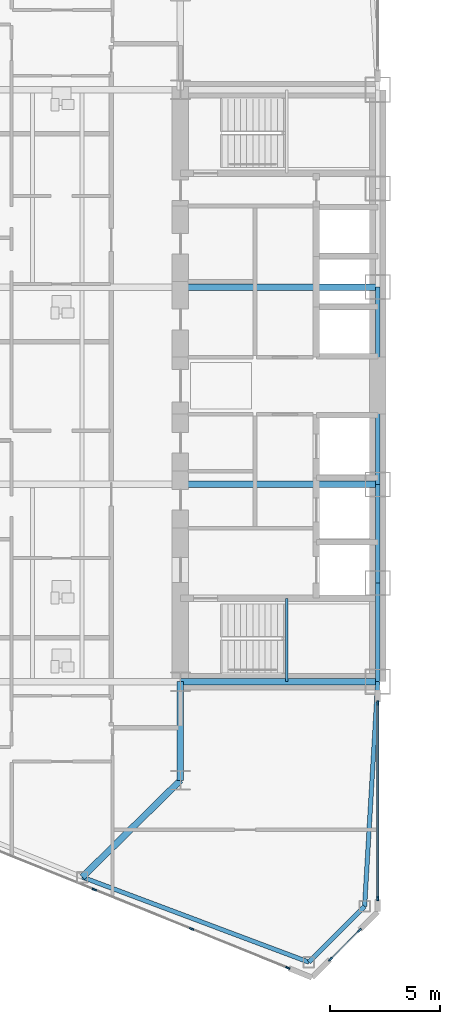
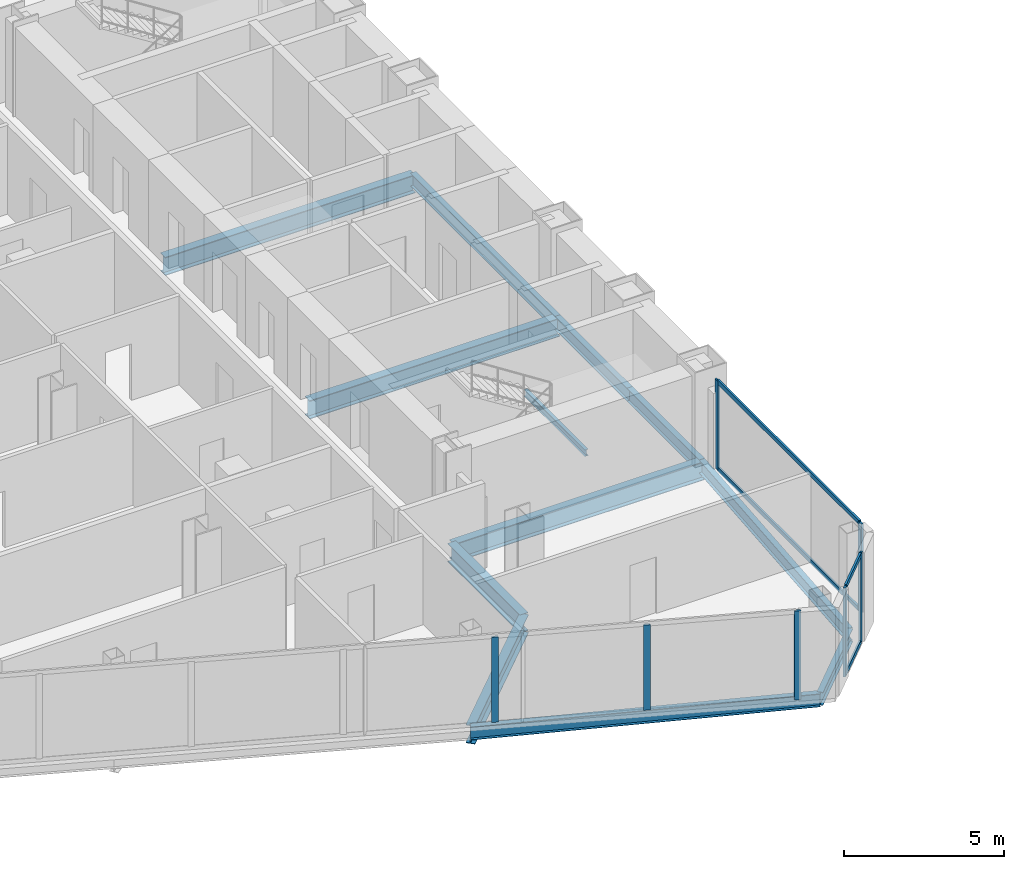
# One storey, part 5 of 25: 12 beams, 11 members, 3 elements without a shape of their own.
"""IFC4 building model written with IfcOpenShell, lengths in metres."""

from ifc_helpers import new_model, si_unit, direction, frame, origin, origin_2d, place, context, subcontext, project, spatial, rectangle, i_section, extrude, source, transform, mapped, material, layer, layer_set, material_profile, profile_set, type_object, type_shapes, element, aggregate, save


model = new_model("IFC4")

# Units and contexts
model_context = context("Model", 3, precision=1e-05, world=origin(), true_north=direction((0.0, 1.0)))
body_context = subcontext(model_context, "Body", "Model", "MODEL_VIEW")
ifc_project = project(units=[si_unit("LENGTHUNIT", "METRE"), si_unit("AREAUNIT", "SQUARE_METRE"), si_unit("VOLUMEUNIT", "CUBIC_METRE"), si_unit("PLANEANGLEUNIT", "RADIAN"), si_unit("MASSUNIT", "GRAM", prefix="KILO")], contexts=[model_context])

# Site, building, storey
site_placement = place(None, origin())
site = spatial("IfcSite", under=ifc_project, at=site_placement, CompositionType="ELEMENT")
building_placement = place(site_placement, origin())
building = spatial("IfcBuilding", under=site, at=building_placement, Name="Seokmaru Belvedere", CompositionType="ELEMENT")
storey_placement = place(building_placement, frame((0.0, 0.0, 29.699951171875)))
storey = spatial("IfcBuildingStorey", under=building, at=storey_placement, Name="L07", CompositionType="ELEMENT", Elevation=29.699951171875)

# Beams
ifc_material_1 = material(Name="Steel SM355 (355 MPa)", Category="steel")
ifc_material_profile_1 = material_profile(ifc_material_1, i_section(OverallWidth=0.199951171875, OverallDepth=0.5, WebThickness=0.010009765625, FlangeThickness=0.01611328125, at=origin_2d()), Name="H-500x200x10x16")
ifc_profile_set_1 = profile_set([ifc_material_profile_1], Name="Steel SM355 (355 MPa)")
beam_type_1 = type_object("IfcBeamType", Name="Perimeter Spandrel Beam H-500", PredefinedType="SPANDREL", material=ifc_profile_set_1)
shared_shape_1 = source(origin(), body_context, "Body", "SweptSolid", [
    extrude(i_section(OverallWidth=0.199951171875, OverallDepth=0.5, WebThickness=0.010009765625, FlangeThickness=0.01611328125, at=origin_2d()), origin(), (0.0, 0.0, 1.0), 4.5),
])
for number, where, z_axis, x_axis, name in (
    (1, (-27.5, -13.5, -0.469970703125), (0.0, 1.0, 0.0), (-1.0, 0.0, 0.0), "L07 W Portal Spine Spandrel 1"),
    (2, (-27.5, -9.0, -0.469970703125), (0.0, 1.0, 0.0), (-1.0, 0.0, 0.0), "L07 W Portal Spine Spandrel 2"),
):
    element("IfcBeam", number, at=place(storey_placement, frame(where, z_axis=z_axis, x_axis=x_axis)), inside=storey, type_object=beam_type_1, Name=name, PredefinedType="SPANDREL", context=body_context, shape_type="MappedRepresentation", body=[
        mapped(shared_shape_1, transform((0.0, 0.0, 0.0), scale=1.0)),
    ])
shared_shape_2 = source(origin(), body_context, "Body", "SweptSolid", [
    extrude(i_section(OverallWidth=0.199951171875, OverallDepth=0.5, WebThickness=0.010009765625, FlangeThickness=0.01611328125, at=origin_2d()), origin(), (0.0, 0.0, 1.0), 9.0),
])
beam_1_placement = place(storey_placement, frame((-27.5, -4.5, -0.469970703125), z_axis=(0.0, 1.0, 0.0), x_axis=(-1.0, 0.0, 0.0)))
element("IfcBeam", 3, at=beam_1_placement, inside=storey, type_object=beam_type_1, Name="L07 W Portal Spine Spandrel 3", PredefinedType="SPANDREL", context=body_context, shape_type="MappedRepresentation", body=[
    mapped(shared_shape_2, transform((0.0, 0.0, 0.0), scale=1.0)),
])
ifc_material_profile_2 = material_profile(ifc_material_1, i_section(OverallWidth=0.300048828125, OverallDepth=0.699951171875, WebThickness=0.012939453125, FlangeThickness=0.02392578125, at=origin_2d()), Name="H-700x300x13x24")
ifc_profile_set_2 = profile_set([ifc_material_profile_2], Name="Steel SM355 (355 MPa)")
beam_type_2 = type_object("IfcBeamType", Name="Primary Floor Girder H-700", PredefinedType="BEAM", material=ifc_profile_set_2)
shared_shape_3 = source(origin(), body_context, "Body", "SweptSolid", [
    extrude(i_section(OverallWidth=0.300048828125, OverallDepth=0.699951171875, WebThickness=0.012939453125, FlangeThickness=0.02392578125, at=origin_2d()), origin(), (0.0, 0.0, 1.0), 4.5),
])
beam_2_placement = place(storey_placement, frame((-36.5, -18.0, -0.570068359375), z_axis=(0.0, 1.0, 0.0), x_axis=(-1.0, 0.0, 0.0)))
element("IfcBeam", 4, at=beam_2_placement, inside=storey, type_object=beam_type_2, Name="L07 W Core Shoulder Girder S", PredefinedType="BEAM", context=body_context, shape_type="MappedRepresentation", body=[
    mapped(shared_shape_3, transform((0.0, 0.0, 0.0), scale=1.0)),
])
shared_shape_4 = source(origin(), body_context, "Body", "SweptSolid", [
    extrude(i_section(OverallWidth=0.300048828125, OverallDepth=0.699951171875, WebThickness=0.012939453125, FlangeThickness=0.02392578125, at=origin_2d()), origin(), (0.0, 0.0, 1.0), 9.0),
])
for number, where, z_axis, x_axis, name in (
    (5, (-36.5, -13.5, -0.570068359375), (1.0, 0.0, 0.0), (0.0, 1.0, 0.0), "L07 W Core Tie Girder 1"),
    (6, (-36.5, -4.5, -0.570068359375), (1.0, 0.0, 0.0), (0.0, 1.0, 0.0), "L07 W Core Tie Girder 2"),
    (7, (-36.5, 4.5, -0.570068359375), (1.0, 0.0, 0.0), (0.0, 1.0, 0.0), "L07 W Core Tie Girder 3"),
):
    element("IfcBeam", number, at=place(storey_placement, frame(where, z_axis=z_axis, x_axis=x_axis)), inside=storey, type_object=beam_type_2, Name=name, PredefinedType="BEAM", context=body_context, shape_type="MappedRepresentation", body=[
        mapped(shared_shape_4, transform((0.0, 0.0, 0.0), scale=1.0)),
    ])
shared_shape_5 = source(origin(), body_context, "Body", "SweptSolid", [
    extrude(i_section(OverallWidth=0.199951171875, OverallDepth=0.5, WebThickness=0.010009765625, FlangeThickness=0.01611328125, at=origin_2d()), origin(), (0.0, 0.0, 1.0), 11.03857421875),
])
beam_3_placement = place(storey_placement, frame((-30.643310546875, -26.294677734375, -0.469970703125), z_axis=(-0.936169110734, 0.351549990907, 0.0), x_axis=(-0.351549990907, -0.936169110734, 0.0)))
element("IfcBeam", 8, at=beam_3_placement, inside=storey, type_object=beam_type_1, Name="L07 W Faceted Flank Spandrel S-1", PredefinedType="SPANDREL", context=body_context, shape_type="MappedRepresentation", body=[
    mapped(shared_shape_5, transform((0.0, 0.0, 0.0), scale=1.0)),
])
shared_shape_6 = source(origin(), body_context, "Body", "SweptSolid", [
    extrude(i_section(OverallWidth=0.199951171875, OverallDepth=0.5, WebThickness=0.010009765625, FlangeThickness=0.01611328125, at=origin_2d()), origin(), (0.0, 0.0, 1.0), 3.5966796875),
])
beam_4_placement = place(storey_placement, frame((-30.643310546875, -26.294677734375, -0.469970703125), z_axis=(0.707106781187, 0.707106781187, 0.0), x_axis=(-0.707106781187, 0.707106781187, 0.0)))
element("IfcBeam", 9, at=beam_4_placement, inside=storey, type_object=beam_type_1, Name="L07 W Shoulder Chamfer Spandrel S", PredefinedType="SPANDREL", context=body_context, shape_type="MappedRepresentation", body=[
    mapped(shared_shape_6, transform((0.0, 0.0, 0.0), scale=1.0)),
])
shared_shape_7 = source(origin(), body_context, "Body", "SweptSolid", [
    extrude(i_section(OverallWidth=0.199951171875, OverallDepth=0.5, WebThickness=0.010009765625, FlangeThickness=0.01611328125, at=origin_2d()), origin(), (0.0, 0.0, 1.0), 10.26904296875),
])
type_shapes(beam_type_1, [shared_shape_1, shared_shape_2, shared_shape_5, shared_shape_6, shared_shape_7])
beam_5_placement = place(storey_placement, frame((-28.10009765625, -23.75146484375, -0.469970703125), z_axis=(0.058437709399, 0.998291056817, 0.0), x_axis=(-0.998291056817, 0.058437709399, 0.0)))
element("IfcBeam", 10, at=beam_5_placement, inside=storey, type_object=beam_type_1, Name="L07 W Shoulder Spine Spandrel S", PredefinedType="SPANDREL", context=body_context, shape_type="MappedRepresentation", body=[
    mapped(shared_shape_7, transform((0.0, 0.0, 0.0), scale=1.0)),
])
shared_shape_8 = source(origin(), body_context, "Body", "SweptSolid", [
    extrude(i_section(OverallWidth=0.300048828125, OverallDepth=0.699951171875, WebThickness=0.012939453125, FlangeThickness=0.02392578125, at=origin_2d()), origin(), (0.0, 0.0, 1.0), 6.287353515625),
])
type_shapes(beam_type_2, [shared_shape_3, shared_shape_4, shared_shape_8])
beam_6_placement = place(storey_placement, frame((-40.977294921875, -22.4140625, -0.570068359375), z_axis=(0.712117485263, 0.702060315915, 0.0), x_axis=(-0.702060315915, 0.712117485263, 0.0)))
element("IfcBeam", 11, at=beam_6_placement, inside=storey, type_object=beam_type_2, Name="L07 W Flank Radial Floor Girder S-1", PredefinedType="BEAM", context=body_context, shape_type="MappedRepresentation", body=[
    mapped(shared_shape_8, transform((0.0, 0.0, 0.0), scale=1.0)),
])

# Curtain wall, members
ifc_material_2 = material(Name="Bronze Triple Insulating Glass", Category="glass")
ifc_layer = layer(ifc_material_2, 0.2099609375)
ifc_layer_set = layer_set([ifc_layer], Name="Bronze Triple Insulating Glass")
curtain_wall_type = type_object("IfcCurtainWallType", Name="Low-Rise Faceted Crystal Curtain Wall System CW-2", PredefinedType="NOTDEFINED", material=ifc_layer_set)
curtain_wall_1_placement = place(storey_placement, origin())
curtain_wall_1 = element("IfcCurtainWall", 12, at=curtain_wall_1_placement, inside=storey, type_object=curtain_wall_type, Name="L07 Curtain Wall WSP_1", PredefinedType="NOTDEFINED")
ifc_material_3 = material(Name="Anodised Bronze Aluminium", Category="aluminium")
ifc_material_profile_3 = material_profile(ifc_material_3, rectangle(XDim=0.074951171875, YDim=0.2099609375, at=origin_2d()), Name="CW-M-75x210")
ifc_profile_set_3 = profile_set([ifc_material_profile_3], Name="Anodised Bronze Aluminium")
member_type_1 = type_object("IfcMemberType", Name="Bronze Unitised Mullion 75x210", PredefinedType="MULLION", material=ifc_profile_set_3)
shared_shape_9 = source(origin(), body_context, "Body", "SweptSolid", [
    extrude(rectangle(XDim=0.074951171875, YDim=0.2099609375, at=origin_2d()), origin(), (0.0, 0.0, 1.0), 3.380126953125),
])
member_1_placement = place(storey_placement, frame((-27.5, -23.392578125, 0.0), z_axis=(0.0, 0.0, 1.0), x_axis=(-1.0, 0.0, 0.0)))
member_1 = element("IfcMember", 13, at=member_1_placement, type_object=member_type_1, Name="CW:L07:WSP_1 Mullion 1", PredefinedType="MULLION", context=body_context, shape_type="MappedRepresentation", body=[
    mapped(shared_shape_9, transform((0.0, 0.0, 0.0), scale=1.0)),
])
member_2_placement = place(storey_placement, frame((-27.5, -14.467529296875, 0.0), z_axis=(0.0, 0.0, 1.0), x_axis=(-1.0, 0.0, 0.0)))
member_2 = element("IfcMember", 14, at=member_2_placement, type_object=member_type_1, Name="CW:L07:WSP_1 Mullion 2", PredefinedType="MULLION", context=body_context, shape_type="MappedRepresentation", body=[
    mapped(shared_shape_9, transform((0.0, 0.0, 0.0), scale=1.0)),
])

# Curtain wall, member
curtain_wall_2_placement = place(storey_placement, origin())
curtain_wall_2 = element("IfcCurtainWall", 15, at=curtain_wall_2_placement, inside=storey, type_object=curtain_wall_type, Name="L07 Curtain Wall WF5", PredefinedType="NOTDEFINED")
member_3_placement = place(storey_placement, frame((-31.600830078125, -26.554443359375, 0.0), z_axis=(0.0, 0.0, 1.0), x_axis=(0.375192321888, 0.926946989637, 0.0)))
member_3 = element("IfcMember", 16, at=member_3_placement, type_object=member_type_1, Name="CW:L07:WF5 Mullion 10", PredefinedType="MULLION", context=body_context, shape_type="MappedRepresentation", body=[
    mapped(shared_shape_9, transform((0.0, 0.0, 0.0), scale=1.0)),
])

# Curtain wall, members
curtain_wall_3_placement = place(storey_placement, origin())
curtain_wall_3 = element("IfcCurtainWall", 17, at=curtain_wall_3_placement, inside=storey, type_object=curtain_wall_type, Name="L07 Curtain Wall WF6", PredefinedType="NOTDEFINED")
member_4_placement = place(storey_placement, frame((-29.660400390625, -26.160400390625, 0.0), z_axis=(0.0, 0.0, 1.0), x_axis=(-0.707106781187, 0.707106781187, 0.0)))
member_4 = element("IfcMember", 18, at=member_4_placement, type_object=member_type_1, Name="CW:L07:WF6 Mullion 1", PredefinedType="MULLION", context=body_context, shape_type="MappedRepresentation", body=[
    mapped(shared_shape_9, transform((0.0, 0.0, 0.0), scale=1.0)),
])
member_5_placement = place(storey_placement, frame((-28.339599609375, -24.839599609375, 0.0), z_axis=(0.0, 0.0, 1.0), x_axis=(-0.707106781187, 0.707106781187, 0.0)))
member_5 = element("IfcMember", 19, at=member_5_placement, type_object=member_type_1, Name="CW:L07:WF6 Mullion 2", PredefinedType="MULLION", context=body_context, shape_type="MappedRepresentation", body=[
    mapped(shared_shape_9, transform((0.0, 0.0, 0.0), scale=1.0)),
])

# Member
ifc_material_profile_4 = material_profile(ifc_material_3, rectangle(XDim=0.070068359375, YDim=0.1650390625, at=origin_2d()), Name="CW-T-70x165")
ifc_profile_set_4 = profile_set([ifc_material_profile_4], Name="Anodised Bronze Aluminium")
member_type_2 = type_object("IfcMemberType", Name="Bronze Unitised Transom 70x165", PredefinedType="USERDEFINED", material=ifc_profile_set_4)
shared_shape_10 = source(origin(), body_context, "Body", "SweptSolid", [
    extrude(rectangle(XDim=0.070068359375, YDim=0.1650390625, at=origin_2d()), origin(), (0.0, 0.0, 1.0), 8.85009765625),
])
member_6_placement = place(storey_placement, frame((-27.5, -23.35498046875, 0.03515625), z_axis=(0.0, 1.0, 0.0), x_axis=(-1.0, 0.0, 0.0)))
member_6 = element("IfcMember", 20, at=member_6_placement, type_object=member_type_2, Name="CW:L07:WSP_1 Continuous Transom 1", ObjectType="TRANSOM", PredefinedType="USERDEFINED", context=body_context, shape_type="MappedRepresentation", body=[
    mapped(shared_shape_10, transform((0.0, 0.0, 0.0), scale=1.0)),
])

member_7_placement = place(storey_placement, frame((-27.5, -23.35498046875, 3.344970703125), z_axis=(0.0, 1.0, 0.0), x_axis=(-1.0, 0.0, 0.0)))
member_7 = element("IfcMember", 21, at=member_7_placement, type_object=member_type_2, Name="CW:L07:WSP_1 Continuous Transom 2", ObjectType="TRANSOM", PredefinedType="USERDEFINED", context=body_context, shape_type="MappedRepresentation", body=[
    mapped(shared_shape_10, transform((0.0, 0.0, 0.0), scale=1.0)),
])

aggregate(curtain_wall_1, [member_1, member_2, member_6, member_7])

shared_shape_11 = source(origin(), body_context, "Body", "SweptSolid", [
    extrude(rectangle(XDim=0.070068359375, YDim=0.1650390625, at=origin_2d()), origin(), (0.0, 0.0, 1.0), 1.792724609375),
])
type_shapes(member_type_2, [shared_shape_10, shared_shape_11])
member_8_placement = place(storey_placement, frame((-29.6337890625, -26.1337890625, 0.03515625), z_axis=(0.707106781187, 0.707106781187, 0.0), x_axis=(-0.707106781187, 0.707106781187, 0.0)))
member_8 = element("IfcMember", 22, at=member_8_placement, type_object=member_type_2, Name="CW:L07:WF6 Continuous Transom 1", ObjectType="TRANSOM", PredefinedType="USERDEFINED", context=body_context, shape_type="MappedRepresentation", body=[
    mapped(shared_shape_11, transform((0.0, 0.0, 0.0), scale=1.0)),
])

member_9_placement = place(storey_placement, frame((-29.6337890625, -26.1337890625, 3.344970703125), z_axis=(0.707106781187, 0.707106781187, 0.0), x_axis=(-0.707106781187, 0.707106781187, 0.0)))
member_9 = element("IfcMember", 23, at=member_9_placement, type_object=member_type_2, Name="CW:L07:WF6 Continuous Transom 2", ObjectType="TRANSOM", PredefinedType="USERDEFINED", context=body_context, shape_type="MappedRepresentation", body=[
    mapped(shared_shape_11, transform((0.0, 0.0, 0.0), scale=1.0)),
])

aggregate(curtain_wall_3, [member_4, member_5, member_8, member_9])

shared_shape_12 = source(origin(), body_context, "Body", "SweptSolid", [
    extrude(rectangle(XDim=0.074951171875, YDim=0.2099609375, at=origin_2d()), origin(), (0.0, 0.0, 1.0), 3.239990234375),
])
type_shapes(member_type_1, [shared_shape_9, shared_shape_12])
member_10_placement = place(storey_placement, frame((-40.425537109375, -22.982421875, 0.070068359375), z_axis=(0.0, 0.0, 1.0), x_axis=(0.375192321888, 0.926946989637, 0.0)))
member_10 = element("IfcMember", 24, at=member_10_placement, type_object=member_type_1, Name="CW:L07:WF5 Mullion 8", PredefinedType="MULLION", context=body_context, shape_type="MappedRepresentation", body=[
    mapped(shared_shape_12, transform((0.0, 0.0, 0.0), scale=1.0)),
])

member_11_placement = place(storey_placement, frame((-35.995849609375, -24.775390625, 0.070068359375), z_axis=(0.0, 0.0, 1.0), x_axis=(0.375192321888, 0.926946989637, 0.0)))
member_11 = element("IfcMember", 25, at=member_11_placement, type_object=member_type_1, Name="CW:L07:WF5 Mullion 9", PredefinedType="MULLION", context=body_context, shape_type="MappedRepresentation", body=[
    mapped(shared_shape_12, transform((0.0, 0.0, 0.0), scale=1.0)),
])

aggregate(curtain_wall_2, [member_10, member_11, member_3])

# Beam
ifc_material_profile_5 = material_profile(ifc_material_1, i_section(OverallWidth=0.125, OverallDepth=0.25, WebThickness=0.006103515625, FlangeThickness=0.009033203125, at=origin_2d()), Name="H-250x125x6x9")
ifc_profile_set_5 = profile_set([ifc_material_profile_5], Name="Steel SM355 (355 MPa)")
beam_type_3 = type_object("IfcBeamType", Name="Stair Mid-Landing Support Beam H-250", PredefinedType="JOIST", material=ifc_profile_set_5)
shared_shape_13 = source(origin(), body_context, "Body", "SweptSolid", [
    extrude(i_section(OverallWidth=0.125, OverallDepth=0.25, WebThickness=0.006103515625, FlangeThickness=0.009033203125, at=origin_2d()), origin(), (0.0, 0.0, 1.0), 3.800048828125),
])
type_shapes(beam_type_3, [shared_shape_13])
beam_7_placement = place(storey_placement, frame((-31.64990234375, -13.5, 1.47509765625), z_axis=(0.0, 1.0, 0.0), x_axis=(-1.0, 0.0, 0.0)))
element("IfcBeam", 26, at=beam_7_placement, inside=storey, type_object=beam_type_3, Name="L07 Stair ST-W1 Mid-Landing Support Beam 1", PredefinedType="JOIST", context=body_context, shape_type="MappedRepresentation", body=[
    mapped(shared_shape_13, transform((0.0, 0.0, 0.0), scale=1.0)),
])

save(model, "model.ifc")
